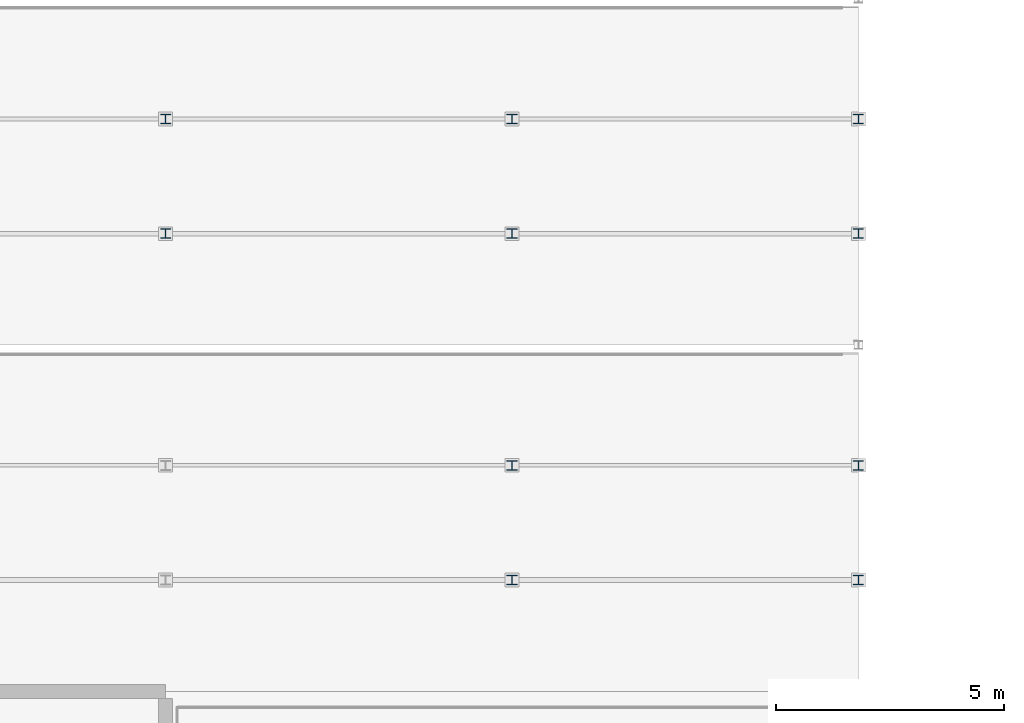
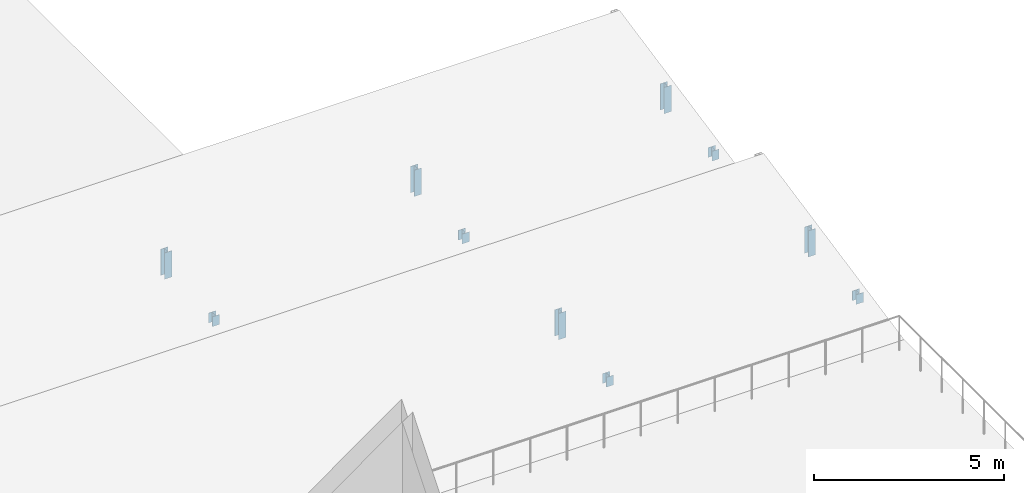
# One storey, part 68 of 114: 10 members.
"""IFC4 building model written with IfcOpenShell, lengths in metres."""

from ifc_helpers import new_model, si_unit, direction, frame, origin, origin_2d, place, context, subcontext, project, spatial, i_section, extrude, material, material_profile, profile_set, type_object, element, save


model = new_model("IFC4")

# Units and contexts
model_context = context("Model", 3, precision=1e-05, world=origin(), true_north=direction((0.0, 1.0)))
body_context = subcontext(model_context, "Body", "Model", "MODEL_VIEW")
ifc_project = project(units=[si_unit("LENGTHUNIT", "METRE"), si_unit("AREAUNIT", "SQUARE_METRE"), si_unit("VOLUMEUNIT", "CUBIC_METRE"), si_unit("PLANEANGLEUNIT", "RADIAN"), si_unit("MASSUNIT", "GRAM", prefix="KILO")], contexts=[model_context])

# Site, building, storey
site_placement = place(None, origin())
site = spatial("IfcSite", under=ifc_project, at=site_placement, CompositionType="ELEMENT")
building_placement = place(site_placement, origin())
building = spatial("IfcBuilding", under=site, at=building_placement, Name="Montecoro Central Library", CompositionType="ELEMENT")
storey_placement = place(building_placement, frame((0.0, 0.0, 13.260009765625)))
storey = spatial("IfcBuildingStorey", under=building, at=storey_placement, Name="L03", CompositionType="ELEMENT", Elevation=13.260009765625)

# Members
ifc_material = material(Name="Steel S355", Category="steel")
ifc_material_profile = material_profile(ifc_material, i_section(OverallWidth=0.219970703125, OverallDepth=0.2099609375, WebThickness=0.007080078125, FlangeThickness=0.010986328125, at=origin_2d()), Name="HEA 220")
ifc_profile_set = profile_set([ifc_material_profile], Name="Steel S355")
member_type = type_object("IfcMemberType", Name="MB-TD-HEA220", PredefinedType="STRUT", material=ifc_profile_set)
for number, where, z_axis, x_axis, name in (
    (1, (35.39990234375, 22.64208984375, -0.255126953125), (0.0, 0.0, 1.0), (1.0, 0.0, 0.0), "V3-ROOF-STRUT1-33-5"),
    (2, (43.0, 22.64208984375, -0.255126953125), (0.0, 0.0, 1.0), (1.0, 0.0, 0.0), "V3-ROOF-STRUT1-33-6"),
):
    element("IfcMember", number, at=place(storey_placement, frame(where, z_axis=z_axis, x_axis=x_axis)), inside=storey, type_object=member_type, Name=name, PredefinedType="STRUT", context=body_context, shape_type="SweptSolid", body=[
        extrude(i_section(OverallWidth=0.219970703125, OverallDepth=0.2099609375, WebThickness=0.007080078125, FlangeThickness=0.010986328125, at=origin_2d()), origin(), (0.0, 0.0, 1.0), 0.315185546875),
    ])
for number, where, z_axis, x_axis, name in (
    (3, (35.39990234375, 25.157958984375, -0.255126953125), (0.0, 0.0, 1.0), (1.0, 0.0, 0.0), "V3-ROOF-STRUT1-67-5"),
    (4, (43.0, 25.157958984375, -0.255126953125), (0.0, 0.0, 1.0), (1.0, 0.0, 0.0), "V3-ROOF-STRUT1-67-6"),
):
    element("IfcMember", number, at=place(storey_placement, frame(where, z_axis=z_axis, x_axis=x_axis)), inside=storey, type_object=member_type, Name=name, PredefinedType="STRUT", context=body_context, shape_type="SweptSolid", body=[
        extrude(i_section(OverallWidth=0.219970703125, OverallDepth=0.2099609375, WebThickness=0.007080078125, FlangeThickness=0.010986328125, at=origin_2d()), origin(), (0.0, 0.0, 1.0), 0.84521484375),
    ])
for number, where, z_axis, x_axis, name in (
    (5, (27.800048828125, 30.241943359375, -0.255126953125), (0.0, 0.0, 1.0), (1.0, 0.0, 0.0), "V3-ROOF-STRUT2-33-4"),
    (6, (35.39990234375, 30.241943359375, -0.255126953125), (0.0, 0.0, 1.0), (1.0, 0.0, 0.0), "V3-ROOF-STRUT2-33-5"),
    (7, (43.0, 30.241943359375, -0.255126953125), (0.0, 0.0, 1.0), (1.0, 0.0, 0.0), "V3-ROOF-STRUT2-33-6"),
):
    element("IfcMember", number, at=place(storey_placement, frame(where, z_axis=z_axis, x_axis=x_axis)), inside=storey, type_object=member_type, Name=name, PredefinedType="STRUT", context=body_context, shape_type="SweptSolid", body=[
        extrude(i_section(OverallWidth=0.219970703125, OverallDepth=0.2099609375, WebThickness=0.007080078125, FlangeThickness=0.010986328125, at=origin_2d()), origin(), (0.0, 0.0, 1.0), 0.315185546875),
    ])
for number, where, z_axis, x_axis, name in (
    (8, (27.800048828125, 32.758056640625, -0.255126953125), (0.0, 0.0, 1.0), (1.0, 0.0, 0.0), "V3-ROOF-STRUT2-67-4"),
    (9, (35.39990234375, 32.758056640625, -0.255126953125), (0.0, 0.0, 1.0), (1.0, 0.0, 0.0), "V3-ROOF-STRUT2-67-5"),
    (10, (43.0, 32.758056640625, -0.255126953125), (0.0, 0.0, 1.0), (1.0, 0.0, 0.0), "V3-ROOF-STRUT2-67-6"),
):
    element("IfcMember", number, at=place(storey_placement, frame(where, z_axis=z_axis, x_axis=x_axis)), inside=storey, type_object=member_type, Name=name, PredefinedType="STRUT", context=body_context, shape_type="SweptSolid", body=[
        extrude(i_section(OverallWidth=0.219970703125, OverallDepth=0.2099609375, WebThickness=0.007080078125, FlangeThickness=0.010986328125, at=origin_2d()), origin(), (0.0, 0.0, 1.0), 0.84521484375),
    ])

save(model, "model.ifc")
